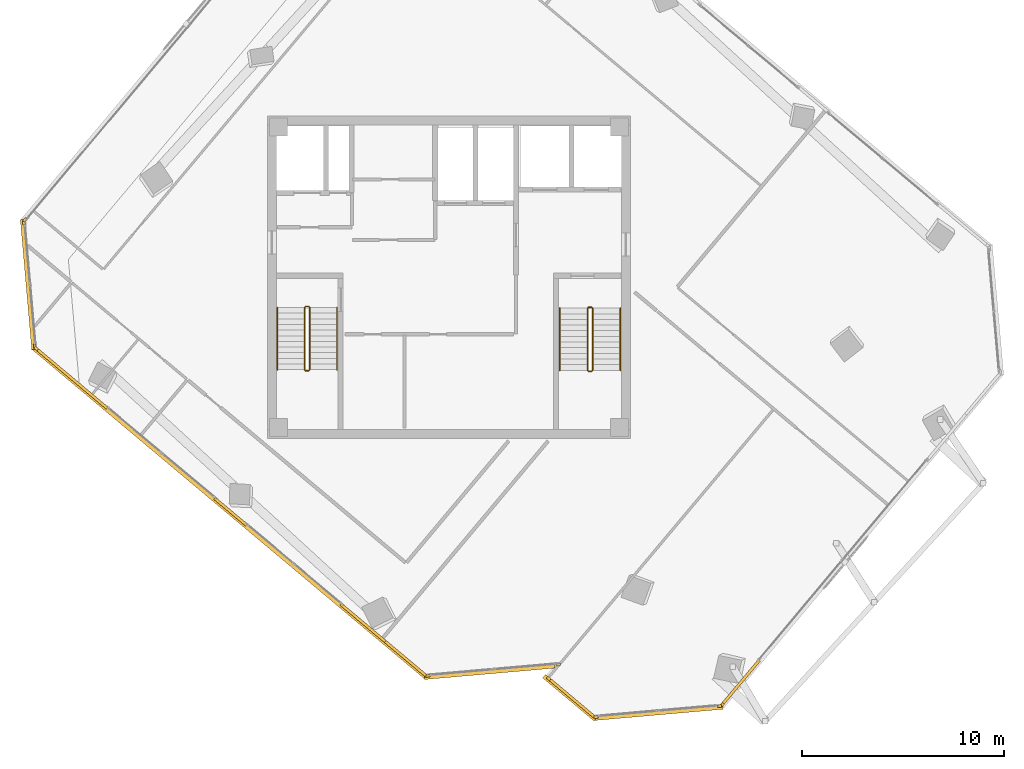
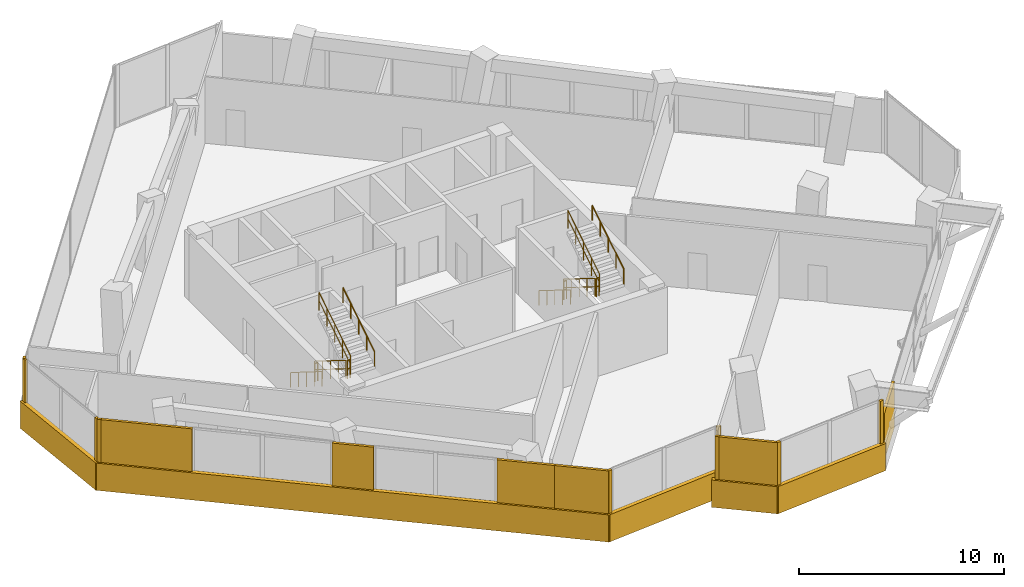
# One storey, part 16 of 18: 21 coverings, 12 railings.
"""IFC4 building model written with IfcOpenShell, lengths in metres."""

from ifc_helpers import new_model, si_unit, direction, frame, origin, origin_2d, place, context, subcontext, project, spatial, rectangle, circle, extrude, source, transform, mapped, material, layer, layer_set, type_object, element, save


model = new_model("IFC4")

# Units and contexts
model_context = context("Model", 3, precision=1e-05, world=origin(), true_north=direction((0.0, 1.0)))
body_context = subcontext(model_context, "Body", "Model", "MODEL_VIEW")
ifc_project = project(units=[si_unit("LENGTHUNIT", "METRE"), si_unit("AREAUNIT", "SQUARE_METRE"), si_unit("VOLUMEUNIT", "CUBIC_METRE"), si_unit("PLANEANGLEUNIT", "RADIAN"), si_unit("MASSUNIT", "GRAM", prefix="KILO")], contexts=[model_context])

# Site, building, storey
site_placement = place(None, origin())
site = spatial("IfcSite", under=ifc_project, at=site_placement, CompositionType="ELEMENT")
building_placement = place(site_placement, origin())
building = spatial("IfcBuilding", under=site, at=building_placement, Name="Torre Montelarca", CompositionType="ELEMENT")
storey_placement = place(building_placement, frame((0.0, 0.0, 224.800048828125)))
storey = spatial("IfcBuildingStorey", under=building, at=storey_placement, Name="L50", CompositionType="ELEMENT", Elevation=224.800048828125)

# Railings
ifc_material_1 = material(Name="Powder-coated steel ASTM A500 Grade C", Category="steel")
railing_type_1 = type_object("IfcRailingType", Name="RL-GUARD-1100", PredefinedType="BALUSTRADE", material=ifc_material_1)
railing_1_placement = place(storey_placement, frame((10.85009765625, 30.5, 0.175048828125)))
element("IfcRailing", 1, at=railing_1_placement, inside=storey, type_object=railing_type_1, Name="L50 ST1 stair guard 1", PredefinedType="BALUSTRADE", context=body_context, shape_type="SweptSolid", body=[
    extrude(circle(Radius=0.02392578125, at=origin_2d()), frame((0.0, 0.0, 1.076171875), z_axis=(0.0, -0.848028513186, 0.529950602248), x_axis=(1.0, 0.0, 0.0)), (0.0, 0.0, 1.0), 3.632080078125),
    extrude(circle(Radius=0.02099609375, at=origin_2d()), frame((0.0, 0.0, 0.572021484375), z_axis=(0.0, -0.848028513186, 0.529950602248), x_axis=(1.0, 0.0, 0.0)), (0.0, 0.0, 1.0), 3.632080078125),
    extrude(circle(Radius=0.02099609375, at=origin_2d()), origin(), (0.0, 0.0, 1.0), 1.052001953125),
    extrude(circle(Radius=0.02099609375, at=origin_2d()), frame((0.0, -0.77001953125, 0.481201171875)), (0.0, 0.0, 1.0), 1.052001953125),
    extrude(circle(Radius=0.02099609375, at=origin_2d()), frame((0.0, -1.5400390625, 0.96240234375)), (0.0, 0.0, 1.0), 1.052001953125),
    extrude(circle(Radius=0.02099609375, at=origin_2d()), frame((0.0, -2.31005859375, 1.443603515625)), (0.0, 0.0, 1.0), 1.052001953125),
    extrude(circle(Radius=0.02099609375, at=origin_2d()), frame((0.0, -3.080078125, 1.9248046875)), (0.0, 0.0, 1.0), 1.052001953125),
])
railing_2_placement = place(storey_placement, frame((10.89990234375, 27.3701171875, 2.099853515625)))
element("IfcRailing", 2, at=railing_2_placement, inside=storey, type_object=railing_type_1, Name="L50 ST1 stair guard 2", PredefinedType="BALUSTRADE", context=body_context, shape_type="SweptSolid", body=[
    extrude(circle(Radius=0.02392578125, at=origin_2d()), frame((0.0, 0.0, 1.076171875), z_axis=(1.0, 0.0, 0.0), x_axis=(0.0, 1.0, 0.0)), (0.0, 0.0, 1.0), 0.150146484375),
    extrude(circle(Radius=0.02099609375, at=origin_2d()), frame((0.0, 0.0, 0.572021484375), z_axis=(1.0, 0.0, 0.0), x_axis=(0.0, 1.0, 0.0)), (0.0, 0.0, 1.0), 0.150146484375),
    extrude(circle(Radius=0.02099609375, at=origin_2d()), origin(), (0.0, 0.0, 1.0), 1.052001953125),
    extrude(circle(Radius=0.02099609375, at=origin_2d()), frame((0.150146484375, 0.0, 0.0)), (0.0, 0.0, 1.0), 1.052001953125),
])
railing_3_placement = place(storey_placement, frame((11.10009765625, 27.419921875, 2.27490234375)))
element("IfcRailing", 3, at=railing_3_placement, inside=storey, type_object=railing_type_1, Name="L50 ST1 stair guard 3", PredefinedType="BALUSTRADE", context=body_context, shape_type="SweptSolid", body=[
    extrude(circle(Radius=0.02392578125, at=origin_2d()), frame((0.0, 0.0, 1.076171875), z_axis=(0.0, 0.847998304005, 0.529998940003), x_axis=(-1.0, 0.0, 0.0)), (0.0, 0.0, 1.0), 3.632080078125),
    extrude(circle(Radius=0.02099609375, at=origin_2d()), frame((0.0, 0.0, 0.572021484375), z_axis=(0.0, 0.847998304005, 0.529998940003), x_axis=(-1.0, 0.0, 0.0)), (0.0, 0.0, 1.0), 3.632080078125),
    extrude(circle(Radius=0.02099609375, at=origin_2d()), origin(), (0.0, 0.0, 1.0), 1.052001953125),
    extrude(circle(Radius=0.02099609375, at=origin_2d()), frame((0.0, 0.77001953125, 0.481201171875)), (0.0, 0.0, 1.0), 1.052001953125),
    extrude(circle(Radius=0.02099609375, at=origin_2d()), frame((0.0, 1.5400390625, 0.96240234375)), (0.0, 0.0, 1.0), 1.052001953125),
    extrude(circle(Radius=0.02099609375, at=origin_2d()), frame((0.0, 2.31005859375, 1.44384765625)), (0.0, 0.0, 1.0), 1.052001953125),
    extrude(circle(Radius=0.02099609375, at=origin_2d()), frame((0.0, 3.080078125, 1.925048828125)), (0.0, 0.0, 1.0), 1.052001953125),
])
railing_4_placement = place(storey_placement, frame((10.89990234375, 30.550048828125, 0.0)))
element("IfcRailing", 4, at=railing_4_placement, inside=storey, type_object=railing_type_1, Name="L50 ST1 stair guard 4", PredefinedType="BALUSTRADE", context=body_context, shape_type="SweptSolid", body=[
    extrude(circle(Radius=0.02392578125, at=origin_2d()), frame((0.0, 0.0, 1.076171875), z_axis=(1.0, 0.0, 0.0), x_axis=(0.0, 1.0, 0.0)), (0.0, 0.0, 1.0), 0.150146484375),
    extrude(circle(Radius=0.02099609375, at=origin_2d()), frame((0.0, 0.0, 0.572021484375), z_axis=(1.0, 0.0, 0.0), x_axis=(0.0, 1.0, 0.0)), (0.0, 0.0, 1.0), 0.150146484375),
    extrude(circle(Radius=0.02099609375, at=origin_2d()), origin(), (0.0, 0.0, 1.0), 1.052001953125),
    extrude(circle(Radius=0.02099609375, at=origin_2d()), frame((0.150146484375, 0.0, 0.0)), (0.0, 0.0, 1.0), 1.052001953125),
])
railing_5_placement = place(storey_placement, frame((24.8701171875, 30.469970703125, 0.175048828125)))
element("IfcRailing", 5, at=railing_5_placement, inside=storey, type_object=railing_type_1, Name="L50 ST2 stair guard 1", PredefinedType="BALUSTRADE", context=body_context, shape_type="SweptSolid", body=[
    extrude(circle(Radius=0.02392578125, at=origin_2d()), frame((0.0, 0.0, 1.076171875), z_axis=(0.0, -0.848028513186, 0.529950602248), x_axis=(1.0, 0.0, 0.0)), (0.0, 0.0, 1.0), 3.632080078125),
    extrude(circle(Radius=0.02099609375, at=origin_2d()), frame((0.0, 0.0, 0.572021484375), z_axis=(0.0, -0.848028513186, 0.529950602248), x_axis=(1.0, 0.0, 0.0)), (0.0, 0.0, 1.0), 3.632080078125),
    extrude(circle(Radius=0.02099609375, at=origin_2d()), origin(), (0.0, 0.0, 1.0), 1.052001953125),
    extrude(circle(Radius=0.02099609375, at=origin_2d()), frame((0.0, -0.77001953125, 0.481201171875)), (0.0, 0.0, 1.0), 1.052001953125),
    extrude(circle(Radius=0.02099609375, at=origin_2d()), frame((0.0, -1.5400390625, 0.96240234375)), (0.0, 0.0, 1.0), 1.052001953125),
    extrude(circle(Radius=0.02099609375, at=origin_2d()), frame((0.0, -2.31005859375, 1.443603515625)), (0.0, 0.0, 1.0), 1.052001953125),
    extrude(circle(Radius=0.02099609375, at=origin_2d()), frame((0.0, -3.080078125, 1.9248046875)), (0.0, 0.0, 1.0), 1.052001953125),
])
railing_6_placement = place(storey_placement, frame((24.919921875, 27.340087890625, 2.099853515625)))
element("IfcRailing", 6, at=railing_6_placement, inside=storey, type_object=railing_type_1, Name="L50 ST2 stair guard 2", PredefinedType="BALUSTRADE", context=body_context, shape_type="SweptSolid", body=[
    extrude(circle(Radius=0.02392578125, at=origin_2d()), frame((0.0, 0.0, 1.076171875), z_axis=(1.0, 0.0, 0.0), x_axis=(0.0, 1.0, 0.0)), (0.0, 0.0, 1.0), 0.150146484375),
    extrude(circle(Radius=0.02099609375, at=origin_2d()), frame((0.0, 0.0, 0.572021484375), z_axis=(1.0, 0.0, 0.0), x_axis=(0.0, 1.0, 0.0)), (0.0, 0.0, 1.0), 0.150146484375),
    extrude(circle(Radius=0.02099609375, at=origin_2d()), origin(), (0.0, 0.0, 1.0), 1.052001953125),
    extrude(circle(Radius=0.02099609375, at=origin_2d()), frame((0.150146484375, 0.0, 0.0)), (0.0, 0.0, 1.0), 1.052001953125),
])
railing_7_placement = place(storey_placement, frame((25.1201171875, 27.389892578125, 2.27490234375)))
element("IfcRailing", 7, at=railing_7_placement, inside=storey, type_object=railing_type_1, Name="L50 ST2 stair guard 3", PredefinedType="BALUSTRADE", context=body_context, shape_type="SweptSolid", body=[
    extrude(circle(Radius=0.02392578125, at=origin_2d()), frame((0.0, 0.0, 1.076171875), z_axis=(0.0, 0.847998304005, 0.529998940003), x_axis=(-1.0, 0.0, 0.0)), (0.0, 0.0, 1.0), 3.632080078125),
    extrude(circle(Radius=0.02099609375, at=origin_2d()), frame((0.0, 0.0, 0.572021484375), z_axis=(0.0, 0.847998304005, 0.529998940003), x_axis=(-1.0, 0.0, 0.0)), (0.0, 0.0, 1.0), 3.632080078125),
    extrude(circle(Radius=0.02099609375, at=origin_2d()), origin(), (0.0, 0.0, 1.0), 1.052001953125),
    extrude(circle(Radius=0.02099609375, at=origin_2d()), frame((0.0, 0.77001953125, 0.481201171875)), (0.0, 0.0, 1.0), 1.052001953125),
    extrude(circle(Radius=0.02099609375, at=origin_2d()), frame((0.0, 1.5400390625, 0.96240234375)), (0.0, 0.0, 1.0), 1.052001953125),
    extrude(circle(Radius=0.02099609375, at=origin_2d()), frame((0.0, 2.31005859375, 1.44384765625)), (0.0, 0.0, 1.0), 1.052001953125),
    extrude(circle(Radius=0.02099609375, at=origin_2d()), frame((0.0, 3.080078125, 1.925048828125)), (0.0, 0.0, 1.0), 1.052001953125),
])
railing_8_placement = place(storey_placement, frame((24.919921875, 30.52001953125, 0.0)))
element("IfcRailing", 8, at=railing_8_placement, inside=storey, type_object=railing_type_1, Name="L50 ST2 stair guard 4", PredefinedType="BALUSTRADE", context=body_context, shape_type="SweptSolid", body=[
    extrude(circle(Radius=0.02392578125, at=origin_2d()), frame((0.0, 0.0, 1.076171875), z_axis=(1.0, 0.0, 0.0), x_axis=(0.0, 1.0, 0.0)), (0.0, 0.0, 1.0), 0.150146484375),
    extrude(circle(Radius=0.02099609375, at=origin_2d()), frame((0.0, 0.0, 0.572021484375), z_axis=(1.0, 0.0, 0.0), x_axis=(0.0, 1.0, 0.0)), (0.0, 0.0, 1.0), 0.150146484375),
    extrude(circle(Radius=0.02099609375, at=origin_2d()), origin(), (0.0, 0.0, 1.0), 1.052001953125),
    extrude(circle(Radius=0.02099609375, at=origin_2d()), frame((0.150146484375, 0.0, 0.0)), (0.0, 0.0, 1.0), 1.052001953125),
])
ifc_material_2 = material(Name="Brushed stainless steel AISI 316", Category="steel")
railing_type_2 = type_object("IfcRailingType", Name="RL-HANDRAIL-900", PredefinedType="HANDRAIL", material=ifc_material_2)
railing_9_placement = place(storey_placement, frame((9.5, 30.5, 0.175048828125)))
element("IfcRailing", 9, at=railing_9_placement, inside=storey, type_object=railing_type_2, Name="L50 ST1 stair handrail 1", PredefinedType="HANDRAIL", context=body_context, shape_type="SweptSolid", body=[
    extrude(circle(Radius=0.02392578125, at=origin_2d()), frame((0.0, 0.0, 0.8759765625), z_axis=(0.0, -0.848028513186, 0.529950602248), x_axis=(1.0, 0.0, 0.0)), (0.0, 0.0, 1.0), 3.632080078125),
    extrude(circle(Radius=0.02099609375, at=origin_2d()), origin(), (0.0, 0.0, 1.0), 0.851806640625),
    extrude(circle(Radius=0.02099609375, at=origin_2d()), frame((0.0, -0.77001953125, 0.481201171875)), (0.0, 0.0, 1.0), 0.851806640625),
    extrude(circle(Radius=0.02099609375, at=origin_2d()), frame((0.0, -1.5400390625, 0.96240234375)), (0.0, 0.0, 1.0), 0.851806640625),
    extrude(circle(Radius=0.02099609375, at=origin_2d()), frame((0.0, -2.31005859375, 1.443603515625)), (0.0, 0.0, 1.0), 0.851806640625),
    extrude(circle(Radius=0.02099609375, at=origin_2d()), frame((0.0, -3.080078125, 1.9248046875)), (0.0, 0.0, 1.0), 0.851806640625),
])
railing_10_placement = place(storey_placement, frame((12.449951171875, 27.419921875, 2.27490234375)))
element("IfcRailing", 10, at=railing_10_placement, inside=storey, type_object=railing_type_2, Name="L50 ST1 stair handrail 2", PredefinedType="HANDRAIL", context=body_context, shape_type="SweptSolid", body=[
    extrude(circle(Radius=0.02392578125, at=origin_2d()), frame((0.0, 0.0, 0.8759765625), z_axis=(0.0, 0.847998304005, 0.529998940003), x_axis=(-1.0, 0.0, 0.0)), (0.0, 0.0, 1.0), 3.632080078125),
    extrude(circle(Radius=0.02099609375, at=origin_2d()), origin(), (0.0, 0.0, 1.0), 0.851806640625),
    extrude(circle(Radius=0.02099609375, at=origin_2d()), frame((0.0, 0.77001953125, 0.481201171875)), (0.0, 0.0, 1.0), 0.851806640625),
    extrude(circle(Radius=0.02099609375, at=origin_2d()), frame((0.0, 1.5400390625, 0.96240234375)), (0.0, 0.0, 1.0), 0.851806640625),
    extrude(circle(Radius=0.02099609375, at=origin_2d()), frame((0.0, 2.31005859375, 1.44384765625)), (0.0, 0.0, 1.0), 0.851806640625),
    extrude(circle(Radius=0.02099609375, at=origin_2d()), frame((0.0, 3.080078125, 1.925048828125)), (0.0, 0.0, 1.0), 0.851806640625),
])
railing_11_placement = place(storey_placement, frame((23.489990234375, 30.469970703125, 0.175048828125)))
element("IfcRailing", 11, at=railing_11_placement, inside=storey, type_object=railing_type_2, Name="L50 ST2 stair handrail 1", PredefinedType="HANDRAIL", context=body_context, shape_type="SweptSolid", body=[
    extrude(circle(Radius=0.02392578125, at=origin_2d()), frame((0.0, 0.0, 0.8759765625), z_axis=(0.0, -0.848028513186, 0.529950602248), x_axis=(1.0, 0.0, 0.0)), (0.0, 0.0, 1.0), 3.632080078125),
    extrude(circle(Radius=0.02099609375, at=origin_2d()), origin(), (0.0, 0.0, 1.0), 0.851806640625),
    extrude(circle(Radius=0.02099609375, at=origin_2d()), frame((0.0, -0.77001953125, 0.481201171875)), (0.0, 0.0, 1.0), 0.851806640625),
    extrude(circle(Radius=0.02099609375, at=origin_2d()), frame((0.0, -1.5400390625, 0.96240234375)), (0.0, 0.0, 1.0), 0.851806640625),
    extrude(circle(Radius=0.02099609375, at=origin_2d()), frame((0.0, -2.31005859375, 1.443603515625)), (0.0, 0.0, 1.0), 0.851806640625),
    extrude(circle(Radius=0.02099609375, at=origin_2d()), frame((0.0, -3.080078125, 1.9248046875)), (0.0, 0.0, 1.0), 0.851806640625),
])
railing_12_placement = place(storey_placement, frame((26.5, 27.389892578125, 2.27490234375)))
element("IfcRailing", 12, at=railing_12_placement, inside=storey, type_object=railing_type_2, Name="L50 ST2 stair handrail 2", PredefinedType="HANDRAIL", context=body_context, shape_type="SweptSolid", body=[
    extrude(circle(Radius=0.02392578125, at=origin_2d()), frame((0.0, 0.0, 0.8759765625), z_axis=(0.0, 0.847998304005, 0.529998940003), x_axis=(-1.0, 0.0, 0.0)), (0.0, 0.0, 1.0), 3.632080078125),
    extrude(circle(Radius=0.02099609375, at=origin_2d()), origin(), (0.0, 0.0, 1.0), 0.851806640625),
    extrude(circle(Radius=0.02099609375, at=origin_2d()), frame((0.0, 0.77001953125, 0.481201171875)), (0.0, 0.0, 1.0), 0.851806640625),
    extrude(circle(Radius=0.02099609375, at=origin_2d()), frame((0.0, 1.5400390625, 0.96240234375)), (0.0, 0.0, 1.0), 0.851806640625),
    extrude(circle(Radius=0.02099609375, at=origin_2d()), frame((0.0, 2.31005859375, 1.44384765625)), (0.0, 0.0, 1.0), 0.851806640625),
    extrude(circle(Radius=0.02099609375, at=origin_2d()), frame((0.0, 3.080078125, 1.925048828125)), (0.0, 0.0, 1.0), 0.851806640625),
])

# Coverings
ifc_material_3 = material(Name="Bush-hammered warm white precast concrete C45/55", Category="concrete")
ifc_layer = layer(ifc_material_3, 0.139892578125, Name="Bush-hammered warm white precast concrete C45/55", Category="concrete")
ifc_layer_set = layer_set([ifc_layer], Name="Bush-hammered warm white precast concrete C45/55")
covering_type = type_object("IfcCoveringType", Name="COV-TRAY-CLAD", PredefinedType="CLADDING", material=ifc_layer_set)
shared_shape_1 = source(origin(), body_context, "Body", "SweptSolid", [
    extrude(rectangle(XDim=6.48388671875, YDim=0.219970703125, at=origin_2d()), origin(), (0.0, 0.0, 1.0), 1.6201171875),
])
for number, where, z_axis, x_axis, name in (
    (13, (20.01611328125, 12.451416015625, -0.4501953125), (0.0, 0.0, 1.0), (0.996194089606, 0.087162697497, 0.0), "L50 Architectural White Spandrel Tray Band TRYBOT-02"),
    (14, (28.357421875, 10.4130859375, -0.4501953125), (0.0, 0.0, 1.0), (0.996194089606, 0.087162697497, 0.0), "L50 Architectural White Spandrel Tray Band TRYBOT-05"),
    (15, (-2.856201171875, 31.643798828125, -0.4501953125), (0.0, 0.0, 1.0), (0.087147049306, -0.996195458631, 0.0), "L50 Architectural White Spandrel Tray Band TRYBOT-11"),
):
    element("IfcCovering", number, at=place(storey_placement, frame(where, z_axis=z_axis, x_axis=x_axis)), inside=storey, type_object=covering_type, Name=name, PredefinedType="CLADDING", context=body_context, shape_type="MappedRepresentation", body=[
        mapped(shared_shape_1, transform((0.0, 0.0, 0.0), scale=1.0)),
    ])
shared_shape_2 = source(origin(), body_context, "Body", "SweptSolid", [
    extrude(rectangle(XDim=25.52001953125, YDim=0.219970703125, at=origin_2d()), origin(), (0.0, 0.0, 1.0), 1.6201171875),
])
covering_1_placement = place(storey_placement, frame((7.139404296875, 20.330810546875, -0.4501953125), z_axis=(0.0, 0.0, 1.0), x_axis=(0.766043321242, -0.642788946685, 0.0)))
element("IfcCovering", 16, at=covering_1_placement, inside=storey, type_object=covering_type, Name="L50 Architectural White Spandrel Tray Band TRYBOT-01", PredefinedType="CLADDING", context=body_context, shape_type="MappedRepresentation", body=[
    mapped(shared_shape_2, transform((0.0, 0.0, 0.0), scale=1.0)),
])
shared_shape_3 = source(origin(), body_context, "Body", "SweptSolid", [
    extrude(rectangle(XDim=0.199951171875, YDim=0.139892578125, at=origin_2d()), origin(), (0.0, 0.0, 1.0), 3.719970703125),
])
for number, where, z_axis, x_axis, name in (
    (17, (-2.462158203125, 28.4658203125, 0.0), (0.0, 0.0, 1.0), (0.766042199362, -0.642790283682, 0.0), "L50 Architectural Column Pier Cladding E01-1"),
    (18, (16.95654296875, 12.243896484375, 0.0), (0.0, 0.0, 1.0), (0.996192263856, 0.087183561718, 0.0), "L50 Architectural Column Pier Cladding E02-1"),
    (19, (23.431640625, 12.810791015625, 0.0), (0.0, 0.0, 1.0), (0.996192263856, 0.087183561718, 0.0), "L50 Architectural Column Pier Cladding E02-2"),
    (20, (22.943603515625, 12.1083984375, 0.0), (0.0, 0.0, 1.0), (0.766027614716, -0.642807664463, 0.0), "L50 Architectural Column Pier Cladding E04-1"),
    (21, (25.297607421875, 10.20556640625, 0.0), (0.0, 0.0, 1.0), (0.996192872488, 0.087176606982, 0.0), "L50 Architectural Column Pier Cladding E05-1"),
    (22, (31.406494140625, 10.739990234375, 0.0), (0.0, 0.0, 1.0), (0.996192872488, 0.087176606982, 0.0), "L50 Architectural Column Pier Cladding E05-2"),
    (23, (-3.02001953125, 34.841796875, 0.0), (0.0, 0.0, 1.0), (-0.642788946685, -0.766043321242, 0.0), "L50 Architectural Column Pier Cladding E10-2"),
    (24, (-3.063720703125, 34.703369140625, 0.0), (0.0, 0.0, 1.0), (0.08716095881, -0.996194241732, 0.0), "L50 Architectural Column Pier Cladding E11-1"),
    (25, (-2.529052734375, 28.594482421875, 0.0), (0.0, 0.0, 1.0), (0.08716095881, -0.996194241732, 0.0), "L50 Architectural Column Pier Cladding E11-2"),
):
    element("IfcCovering", number, at=place(storey_placement, frame(where, z_axis=z_axis, x_axis=x_axis)), inside=storey, type_object=covering_type, Name=name, PredefinedType="CLADDING", context=body_context, shape_type="MappedRepresentation", body=[
        mapped(shared_shape_3, transform((0.0, 0.0, 0.0), scale=1.0)),
    ])
shared_shape_4 = source(origin(), body_context, "Body", "SweptSolid", [
    extrude(rectangle(XDim=0.199951171875, YDim=0.139892578125, at=origin_2d()), origin(), (0.0, 0.0, 1.0), 2.77490234375),
])
covering_2_placement = place(storey_placement, frame((31.535400390625, 10.80712890625, 0.0), z_axis=(0.0, 0.0, 1.0), x_axis=(0.642787609687, 0.766044443119, 0.0)))
element("IfcCovering", 26, at=covering_2_placement, inside=storey, type_object=covering_type, Name="L50 Architectural Column Pier Cladding E06-1", PredefinedType="CLADDING", context=body_context, shape_type="MappedRepresentation", body=[
    mapped(shared_shape_4, transform((0.0, 0.0, 0.0), scale=1.0)),
])
shared_shape_5 = source(origin(), body_context, "Body", "SweptSolid", [
    extrude(rectangle(XDim=2.67919921875, YDim=0.139892578125, at=origin_2d()), origin(), (0.0, 0.0, 1.0), 3.719970703125),
])
covering_3_placement = place(storey_placement, frame((15.868408203125, 13.08447265625, 0.0), z_axis=(0.0, 0.0, 1.0), x_axis=(0.766042199362, -0.642790283682, 0.0)))
element("IfcCovering", 27, at=covering_3_placement, inside=storey, type_object=covering_type, Name="L50 Architectural Column Pier Cladding E01-5", PredefinedType="CLADDING", context=body_context, shape_type="MappedRepresentation", body=[
    mapped(shared_shape_5, transform((0.0, 0.0, 0.0), scale=1.0)),
])
shared_shape_6 = source(origin(), body_context, "Body", "SweptSolid", [
    extrude(rectangle(XDim=2.06005859375, YDim=0.139892578125, at=origin_2d()), origin(), (0.0, 0.0, 1.0), 3.719970703125),
])
covering_4_placement = place(storey_placement, frame((7.177978515625, 20.376708984375, 0.0), z_axis=(0.0, 0.0, 1.0), x_axis=(0.766042199362, -0.642790283682, 0.0)))
element("IfcCovering", 28, at=covering_4_placement, inside=storey, type_object=covering_type, Name="L50 Architectural Column Pier Cladding E01-3", PredefinedType="CLADDING", context=body_context, shape_type="MappedRepresentation", body=[
    mapped(shared_shape_6, transform((0.0, 0.0, 0.0), scale=1.0)),
])
shared_shape_7 = source(origin(), body_context, "Body", "SweptSolid", [
    extrude(rectangle(XDim=4.6142578125, YDim=0.139892578125, at=origin_2d()), origin(), (0.0, 0.0, 1.0), 3.719970703125),
])
covering_5_placement = place(storey_placement, frame((-0.69482421875, 26.982666015625, 0.0), z_axis=(0.0, 0.0, 1.0), x_axis=(0.766042199362, -0.642790283682, 0.0)))
element("IfcCovering", 29, at=covering_5_placement, inside=storey, type_object=covering_type, Name="L50 Architectural Column Pier Cladding E01-2", PredefinedType="CLADDING", context=body_context, shape_type="MappedRepresentation", body=[
    mapped(shared_shape_7, transform((0.0, 0.0, 0.0), scale=1.0)),
])
shared_shape_8 = source(origin(), body_context, "Body", "SweptSolid", [
    extrude(rectangle(XDim=2.965576171875, YDim=0.139892578125, at=origin_2d()), origin(), (0.0, 0.0, 1.0), 3.719970703125),
])
covering_6_placement = place(storey_placement, frame((13.782958984375, 14.83447265625, 0.0), z_axis=(0.0, 0.0, 1.0), x_axis=(0.766042199362, -0.642790283682, 0.0)))
element("IfcCovering", 30, at=covering_6_placement, inside=storey, type_object=covering_type, Name="L50 Architectural Column Pier Cladding E01-4", PredefinedType="CLADDING", context=body_context, shape_type="MappedRepresentation", body=[
    mapped(shared_shape_8, transform((0.0, 0.0, 0.0), scale=1.0)),
])
shared_shape_9 = source(origin(), body_context, "Body", "SweptSolid", [
    extrude(rectangle(XDim=3.320068359375, YDim=0.219970703125, at=origin_2d()), origin(), (0.0, 0.0, 1.0), 1.6201171875),
])
covering_7_placement = place(storey_placement, frame((23.983642578125, 11.1572265625, -0.4501953125), z_axis=(0.0, 0.0, 1.0), x_axis=(0.766026492804, -0.642809001432, 0.0)))
element("IfcCovering", 31, at=covering_7_placement, inside=storey, type_object=covering_type, Name="L50 Architectural White Spandrel Tray Band TRYBOT-04", PredefinedType="CLADDING", context=body_context, shape_type="MappedRepresentation", body=[
    mapped(shared_shape_9, transform((0.0, 0.0, 0.0), scale=1.0)),
])
shared_shape_10 = source(origin(), body_context, "Body", "SweptSolid", [
    extrude(rectangle(XDim=2.9921875, YDim=0.139892578125, at=origin_2d()), origin(), (0.0, 0.0, 1.0), 3.719970703125),
])
covering_8_placement = place(storey_placement, frame((24.089599609375, 11.146484375, 0.0), z_axis=(0.0, 0.0, 1.0), x_axis=(0.766027614716, -0.642807664463, 0.0)))
element("IfcCovering", 32, at=covering_8_placement, inside=storey, type_object=covering_type, Name="L50 Architectural Column Pier Cladding E04-2", PredefinedType="CLADDING", context=body_context, shape_type="MappedRepresentation", body=[
    mapped(shared_shape_10, transform((0.0, 0.0, 0.0), scale=1.0)),
])
shared_shape_11 = source(origin(), body_context, "Body", "SweptSolid", [
    extrude(rectangle(XDim=2.88916015625, YDim=0.139892578125, at=origin_2d()), origin(), (0.0, 0.0, 1.0), 2.77490234375),
])
covering_9_placement = place(storey_placement, frame((32.4638671875, 11.913818359375, 0.0), z_axis=(0.0, 0.0, 1.0), x_axis=(0.642787609687, 0.766044443119, 0.0)))
element("IfcCovering", 33, at=covering_9_placement, inside=storey, type_object=covering_type, Name="L50 Architectural Column Pier Cladding E06-2", PredefinedType="CLADDING", context=body_context, shape_type="MappedRepresentation", body=[
    mapped(shared_shape_11, transform((0.0, 0.0, 0.0), scale=1.0)),
])

save(model, "model.ifc")
